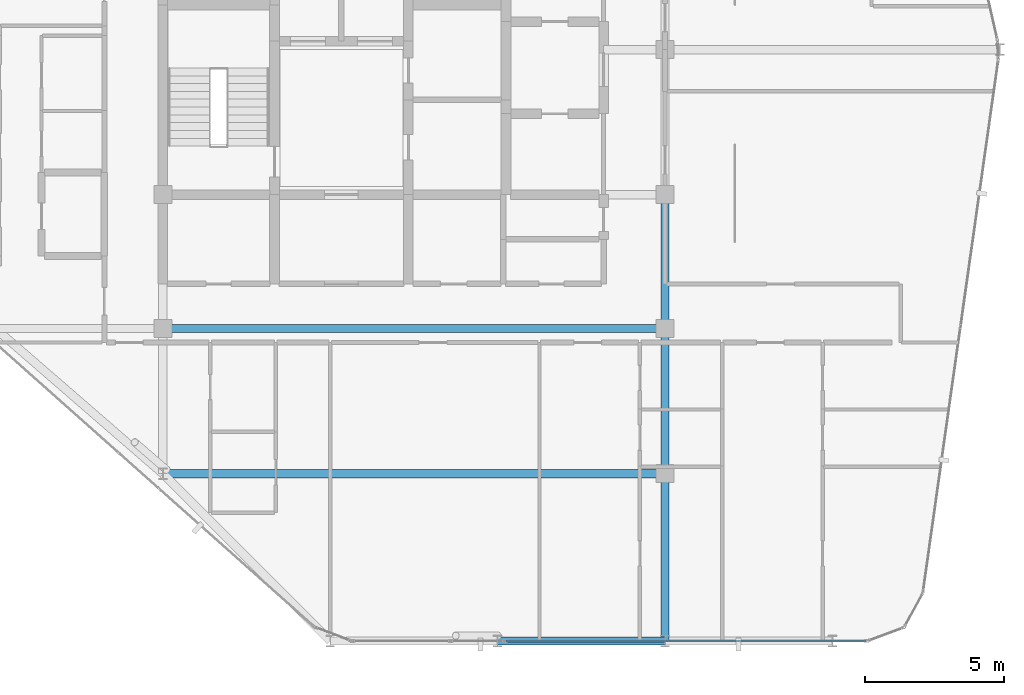
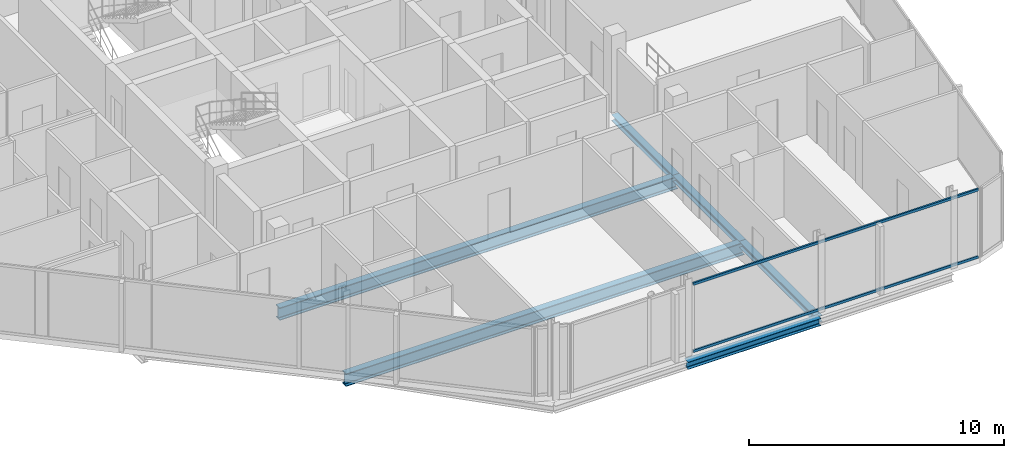
# One storey, part 7 of 27: 6 beams, 2 members, 1 element without a shape of its own.
"""IFC4 building model written with IfcOpenShell, lengths in metres."""

from ifc_helpers import new_model, si_unit, direction, frame, origin, origin_2d, place, context, subcontext, project, spatial, hollow_rectangle, i_section, extrude, material, layer, layer_set, material_profile, profile_set, type_object, element, aggregate, save


model = new_model("IFC4")

# Units and contexts
model_context = context("Model", 3, precision=1e-05, world=origin(), true_north=direction((0.0, 1.0)))
body_context = subcontext(model_context, "Body", "Model", "MODEL_VIEW")
ifc_project = project(units=[si_unit("LENGTHUNIT", "METRE"), si_unit("AREAUNIT", "SQUARE_METRE"), si_unit("VOLUMEUNIT", "CUBIC_METRE"), si_unit("PLANEANGLEUNIT", "RADIAN"), si_unit("MASSUNIT", "GRAM", prefix="KILO")], contexts=[model_context])

# Site, building, storey
site_placement = place(None, origin())
site = spatial("IfcSite", under=ifc_project, at=site_placement, CompositionType="ELEMENT")
building_placement = place(site_placement, origin())
building = spatial("IfcBuilding", under=site, at=building_placement, Name="Keshet Zoharim Tower", CompositionType="ELEMENT")
storey_placement = place(building_placement, frame((0.0, 0.0, 311.0)))
storey = spatial("IfcBuildingStorey", under=building, at=storey_placement, Name="L78", CompositionType="ELEMENT", Elevation=311.0)

# Beams
ifc_material_1 = material(Name="Steel S355", Category="steel")
ifc_material_profile_1 = material_profile(ifc_material_1, i_section(OverallWidth=0.300048828125, OverallDepth=0.60009765625, WebThickness=0.015380859375, FlangeThickness=0.030029296875, FilletRadius=0.027099609375, at=origin_2d()), Name="HEB600")
ifc_profile_set_1 = profile_set([ifc_material_profile_1], Name="Steel S355")
beam_type_1 = type_object("IfcBeamType", Name="BM-LNG-HB600", PredefinedType="BEAM", material=ifc_profile_set_1)
for number, where, z_axis, x_axis, name in (
    (1, (15.0, 12.699951171875, -0.610107421875), (1.0, 0.0, 0.0), (0.0, 1.0, 0.0), "L78 Primary Girder X-004"),
    (2, (15.0, 17.89990234375, -0.610107421875), (1.0, 0.0, 0.0), (0.0, 1.0, 0.0), "L78 Primary Girder X-006"),
):
    element("IfcBeam", number, at=place(storey_placement, frame(where, z_axis=z_axis, x_axis=x_axis)), inside=storey, type_object=beam_type_1, Name=name, PredefinedType="BEAM", context=body_context, shape_type="SweptSolid", body=[
        extrude(i_section(OverallWidth=0.300048828125, OverallDepth=0.60009765625, WebThickness=0.015380859375, FlangeThickness=0.030029296875, FilletRadius=0.027099609375, at=origin_2d()), origin(), (0.0, 0.0, 1.0), 18.0),
    ])
ifc_material_profile_2 = material_profile(ifc_material_1, i_section(OverallWidth=0.300048828125, OverallDepth=0.2900390625, WebThickness=0.008544921875, FlangeThickness=0.013916015625, FilletRadius=0.027099609375, at=origin_2d()), Name="HEA300")
ifc_profile_set_2 = profile_set([ifc_material_profile_2], Name="Steel S355")
beam_type_2 = type_object("IfcBeamType", Name="BM-PRI-HA300", PredefinedType="BEAM", material=ifc_profile_set_2)
beam_1_placement = place(storey_placement, frame((33.0, 6.699951171875, -0.455078125), z_axis=(0.0, 1.0, 0.0), x_axis=(-1.0, 0.0, 0.0)))
element("IfcBeam", 3, at=beam_1_placement, inside=storey, type_object=beam_type_2, Name="L78 Primary Girder Y-004", PredefinedType="BEAM", context=body_context, shape_type="SweptSolid", body=[
    extrude(i_section(OverallWidth=0.300048828125, OverallDepth=0.2900390625, WebThickness=0.008544921875, FlangeThickness=0.013916015625, FilletRadius=0.027099609375, at=origin_2d()), origin(), (0.0, 0.0, 1.0), 6.0),
])
beam_2_placement = place(storey_placement, frame((33.0, 12.699951171875, -0.455078125), z_axis=(0.0, 1.0, 0.0), x_axis=(-1.0, 0.0, 0.0)))
element("IfcBeam", 4, at=beam_2_placement, inside=storey, type_object=beam_type_2, Name="L78 Primary Girder Y-005", PredefinedType="BEAM", context=body_context, shape_type="SweptSolid", body=[
    extrude(i_section(OverallWidth=0.300048828125, OverallDepth=0.2900390625, WebThickness=0.008544921875, FlangeThickness=0.013916015625, FilletRadius=0.027099609375, at=origin_2d()), origin(), (0.0, 0.0, 1.0), 5.199951171875),
])
beam_3_placement = place(storey_placement, frame((33.0, 17.89990234375, -0.455078125), z_axis=(0.0, 1.0, 0.0), x_axis=(-1.0, 0.0, 0.0)))
element("IfcBeam", 5, at=beam_3_placement, inside=storey, type_object=beam_type_2, Name="L78 Primary Girder Y-006", PredefinedType="BEAM", context=body_context, shape_type="SweptSolid", body=[
    extrude(i_section(OverallWidth=0.300048828125, OverallDepth=0.2900390625, WebThickness=0.008544921875, FlangeThickness=0.013916015625, FilletRadius=0.027099609375, at=origin_2d()), origin(), (0.0, 0.0, 1.0), 4.800048828125),
])
ifc_material_profile_3 = material_profile(ifc_material_1, i_section(OverallWidth=0.300048828125, OverallDepth=0.35009765625, WebThickness=0.010009765625, FlangeThickness=0.017578125, FilletRadius=0.027099609375, at=origin_2d()), Name="HEA360")
ifc_profile_set_3 = profile_set([ifc_material_profile_3], Name="Steel S355")
beam_type_3 = type_object("IfcBeamType", Name="BM-PRI-HA360", PredefinedType="BEAM", material=ifc_profile_set_3)
beam_4_placement = place(storey_placement, frame((27.0, 6.699951171875, -0.485107421875), z_axis=(1.0, 0.0, 0.0), x_axis=(0.0, 1.0, 0.0)))
element("IfcBeam", 6, at=beam_4_placement, inside=storey, type_object=beam_type_3, Name="L78 Primary Girder X-002", PredefinedType="BEAM", context=body_context, shape_type="SweptSolid", body=[
    extrude(i_section(OverallWidth=0.300048828125, OverallDepth=0.35009765625, WebThickness=0.010009765625, FlangeThickness=0.017578125, FilletRadius=0.027099609375, at=origin_2d()), origin(), (0.0, 0.0, 1.0), 6.0),
])

# Curtain wall, members
ifc_material_2 = material(Name="Aluminium 6063-T6", Category="aluminium")
ifc_layer = layer(ifc_material_2, 0.260009765625)
ifc_layer_set = layer_set([ifc_layer], Name="Aluminium 6063-T6")
curtain_wall_type = type_object("IfcCurtainWallType", Name="CW-SYS-06", PredefinedType="NOTDEFINED", material=ifc_layer_set)
curtain_wall_placement = place(storey_placement, origin())
curtain_wall = element("IfcCurtainWall", 7, at=curtain_wall_placement, inside=storey, type_object=curtain_wall_type, Name="L78 Unitised Curtain Wall 14", PredefinedType="NOTDEFINED")
ifc_material_profile_4 = material_profile(ifc_material_2, hollow_rectangle(XDim=0.074951171875, YDim=0.1201171875, WallThickness=0.00390625, at=origin_2d()), Name="TRN-75x120")
ifc_profile_set_4 = profile_set([ifc_material_profile_4], Name="Aluminium 6063-T6")
member_type = type_object("IfcMemberType", Name="CWT-T12", PredefinedType="USERDEFINED", material=ifc_profile_set_4)
member_1_placement = place(storey_placement, frame((40.193115234375, 6.699951171875, 0.034912109375), z_axis=(-1.0, 0.0, 0.0), x_axis=(0.0, -1.0, 0.0)))
member_1 = element("IfcMember", 8, at=member_1_placement, type_object=member_type, Name="CW-06 transom 1.1", ObjectType="TRANSOM", PredefinedType="USERDEFINED", context=body_context, shape_type="SweptSolid", body=[
    extrude(hollow_rectangle(XDim=0.074951171875, YDim=0.1201171875, WallThickness=0.00390625, at=origin_2d()), origin(), (0.0, 0.0, 1.0), 12.89892578125),
])
member_2_placement = place(storey_placement, frame((40.193115234375, 6.699951171875, 3.2451171875), z_axis=(-1.0, 0.0, 0.0), x_axis=(0.0, -1.0, 0.0)))
member_2 = element("IfcMember", 9, at=member_2_placement, type_object=member_type, Name="CW-06 transom 1.2", ObjectType="TRANSOM", PredefinedType="USERDEFINED", context=body_context, shape_type="SweptSolid", body=[
    extrude(hollow_rectangle(XDim=0.074951171875, YDim=0.1201171875, WallThickness=0.00390625, at=origin_2d()), origin(), (0.0, 0.0, 1.0), 12.89892578125),
])
aggregate(curtain_wall, [member_1, member_2])

save(model, "model.ifc")
